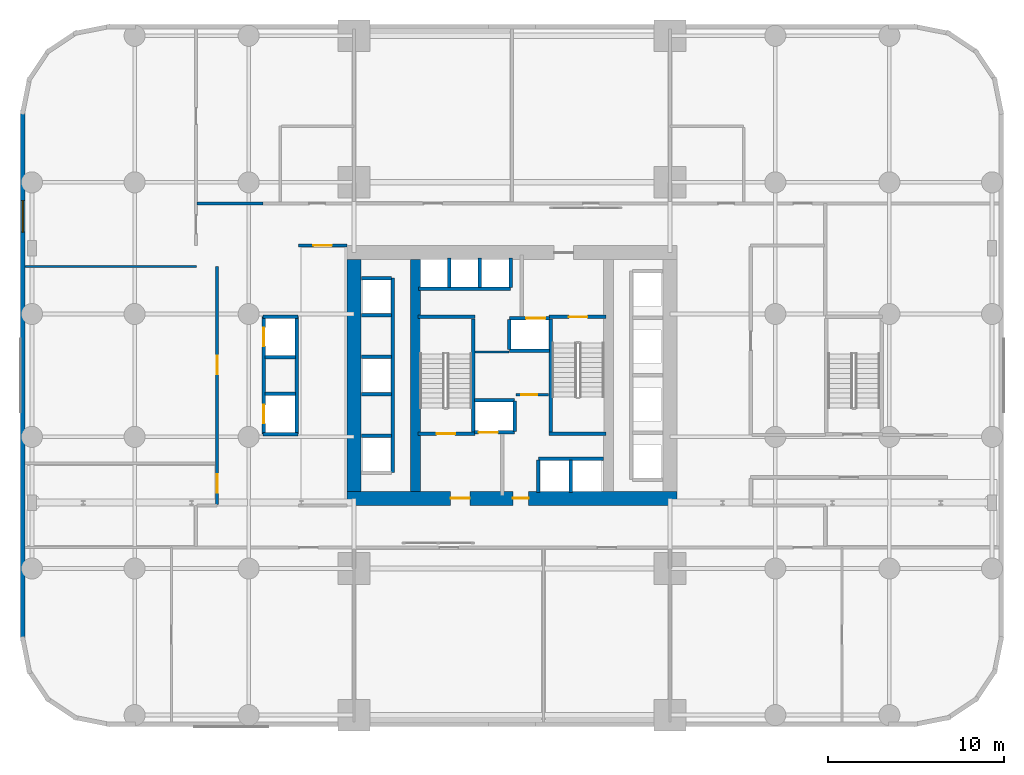
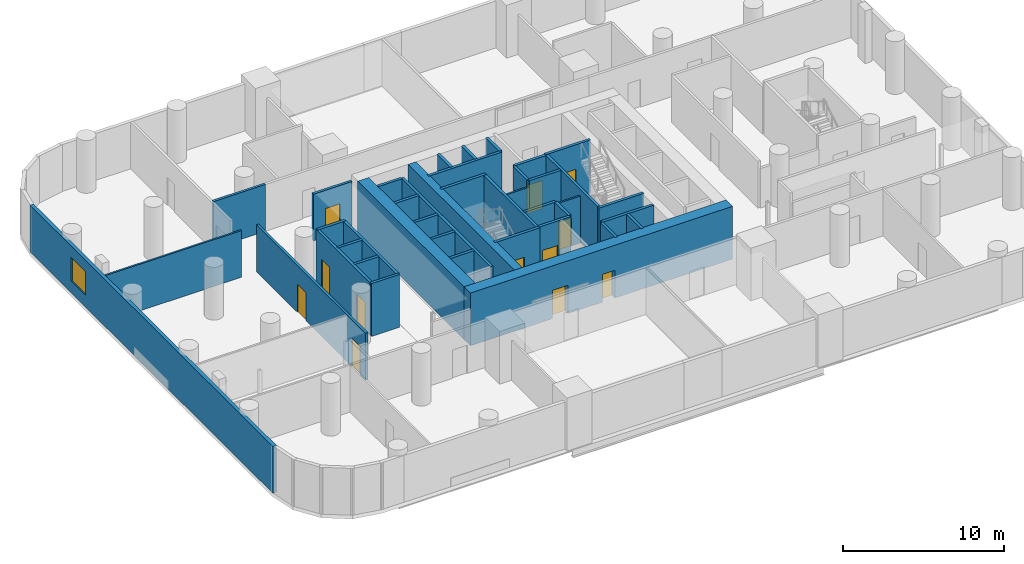
# One storey, part 9 of 15: 41 walls, 12 doors, 1 window, 13 openings.
"""IFC4 building model written with IfcOpenShell, lengths in metres."""

from ifc_helpers import new_model, si_unit, direction, frame, frame_2d, origin, place, context, subcontext, project, spatial, rectangle, extrude, material, layer, layer_set, type_object, element, fill, save


model = new_model("IFC4")

# Units and contexts
model_context = context("Model", 3, precision=1e-05, world=origin(), true_north=direction((0.0, 1.0)))
body_context = subcontext(model_context, "Body", "Model", "MODEL_VIEW")
ifc_project = project(units=[si_unit("LENGTHUNIT", "METRE"), si_unit("AREAUNIT", "SQUARE_METRE"), si_unit("VOLUMEUNIT", "CUBIC_METRE"), si_unit("PLANEANGLEUNIT", "RADIAN"), si_unit("MASSUNIT", "GRAM", prefix="KILO")], contexts=[model_context])

# Site, building, storey
site_placement = place(None, origin())
site = spatial("IfcSite", under=ifc_project, at=site_placement, CompositionType="ELEMENT")
building_placement = place(site_placement, origin())
building = spatial("IfcBuilding", under=site, at=building_placement, Name="Veldorim Arch Residences", CompositionType="ELEMENT")
storey_placement = place(building_placement, frame((0.0, 0.0, 16.0)))
storey = spatial("IfcBuildingStorey", under=building, at=storey_placement, Name="L04", CompositionType="ELEMENT", Elevation=16.0)

# Wall, opening, door
ifc_material_1 = material(Name="Acoustic Gypsum Board", Category="gypsum")
ifc_layer_1 = layer(ifc_material_1, 0.125, Name="Acoustic Stud Room Partition Wall 125")
ifc_layer_set_1 = layer_set([ifc_layer_1], Name="Acoustic Gypsum Board")
wall_type_1 = type_object("IfcWallType", Name="Acoustic Stud Room Partition Wall 125", PredefinedType="PARTITIONING", material=ifc_layer_set_1)
wall_1_placement = place(storey_placement, frame((32.219970703125, 22.89990234375, 0.0), z_axis=(0.0, 0.0, 1.0), x_axis=(1.0, 0.0, 0.0)))
wall_1 = element("IfcWall", 1, at=wall_1_placement, inside=storey, type_object=wall_type_1, Name="L04 interior wall WL-CA-L04-2", PredefinedType="PARTITIONING", context=body_context, shape_type="SweptSolid", body=[
    extrude(rectangle(XDim=1.860107421875, YDim=0.125, at=frame_2d((0.93017578125, 0.0))), origin(), (0.0, 0.0, 1.0), 3.544921875),
])
opening_1_placement = place(wall_1_placement, frame((0.31005859375, 0.0, 0.0)))
opening_1 = element("IfcOpeningElement", 2, at=opening_1_placement, cuts=wall_1, Name="Opening DR-SVC", PredefinedType="OPENING", context=body_context, shape_type="SweptSolid", body=[
    extrude(rectangle(XDim=0.89990234375, YDim=2.10009765625, at=frame_2d((0.449951171875, 1.050048828125))), frame((0.0, 0.072509765625, 0.0), z_axis=(0.0, -1.0, 0.0), x_axis=(1.0, 0.0, 0.0)), (0.0, 0.0, 1.0), 0.14501953125),
])
ifc_material_2 = material(Name="Fire-Rated Steel", Category="steel")
door_type_1 = type_object("IfcDoorType", Name="Riser, Shelter & Plant Room Rated Steel Door 900x2100", OperationType="SINGLE_SWING_LEFT", PredefinedType="DOOR", material=ifc_material_2)
door_1_placement = place(opening_1_placement, origin())
door_1 = element("IfcDoor", 3, at=door_1_placement, inside=storey, type_object=door_type_1, Name="L04 interior door DR-L04-CA1", OperationType="SINGLE_SWING_RIGHT", OverallHeight=2.10009765625, OverallWidth=0.89990234375, PredefinedType="DOOR", context=body_context, shape_type="SweptSolid", body=[
    extrude(rectangle(XDim=0.89990234375, YDim=2.10009765625, at=frame_2d((0.449951171875, 1.050048828125))), frame((0.0, 0.02490234375, 0.0), z_axis=(0.0, -1.0, 0.0), x_axis=(1.0, 0.0, 0.0)), (0.0, 0.0, 1.0), 0.050048828125),
])
fill(opening_1, door_1)

# Walls
wall_2_placement = place(storey_placement, frame((29.889892578125, 25.330078125, 0.0), z_axis=(0.0, 0.0, 1.0), x_axis=(1.0, 0.0, 0.0)))
element("IfcWall", 4, at=wall_2_placement, inside=storey, type_object=wall_type_1, Name="L04 interior wall WL-CA-L04-N", PredefinedType="PARTITIONING", context=body_context, shape_type="SweptSolid", body=[
    extrude(rectangle(XDim=1.940185546875, YDim=0.125, at=frame_2d((0.97021484375, 0.0))), origin(), (0.0, 0.0, 1.0), 3.544921875),
])
wall_3_placement = place(storey_placement, frame((4.25, 30.199951171875, 0.0), z_axis=(0.0, 0.0, 1.0), x_axis=(1.0, 0.0, 0.0)))
element("IfcWall", 5, at=wall_3_placement, inside=storey, type_object=wall_type_1, Name="L04 interior wall WL-POD-L04-025", PredefinedType="PARTITIONING", context=body_context, shape_type="SweptSolid", body=[
    extrude(rectangle(XDim=9.77001953125, YDim=0.125, at=frame_2d((4.885009765625, 0.0))), origin(), (0.0, 0.0, 1.0), 3.544921875),
])

# Wall, openings, doors
ifc_material_3 = material(Name="Lightweight Masonry Block & Gypsum", Category="masonry")
ifc_layer_2 = layer(ifc_material_3, 0.179931640625, Name="Compartment & Corridor Fire-Rated Party Wall 180")
ifc_layer_set_2 = layer_set([ifc_layer_2], Name="Lightweight Masonry Block & Gypsum")
wall_type_2 = type_object("IfcWallType", Name="Compartment & Corridor Fire-Rated Party Wall 180", PredefinedType="PARTITIONING", material=ifc_layer_set_2)
wall_4_placement = place(storey_placement, frame((15.199951171875, 16.659912109375, 0.0), z_axis=(0.0, 0.0, 1.0), x_axis=(0.0, 1.0, 0.0)))
wall_4 = element("IfcWall", 6, at=wall_4_placement, inside=storey, type_object=wall_type_2, Name="L04 interior wall WL-POD-L04-004", PredefinedType="PARTITIONING", context=body_context, shape_type="SweptSolid", body=[
    extrude(rectangle(XDim=13.56005859375, YDim=0.179931640625, at=frame_2d((6.780029296875, 0.0))), origin(), (0.0, 0.0, 1.0), 3.544921875),
])
opening_2_placement = place(wall_4_placement, frame((0.655029296875, 0.0, 0.0)))
opening_2 = element("IfcOpeningElement", 7, at=opening_2_placement, cuts=wall_4, Name="Opening DR-CLN", PredefinedType="OPENING", context=body_context, shape_type="SweptSolid", body=[
    extrude(rectangle(XDim=1.050048828125, YDim=2.14990234375, at=frame_2d((0.52490234375, 1.074951171875))), frame((0.0, 0.099853515625, 0.0), z_axis=(0.0, -1.0, 0.0), x_axis=(1.0, 0.0, 0.0)), (0.0, 0.0, 1.0), 0.199951171875),
])
opening_3_placement = place(wall_4_placement, frame((7.4150390625, 0.0, 0.0)))
opening_3 = element("IfcOpeningElement", 8, at=opening_3_placement, cuts=wall_4, Name="Opening DR-CLN", PredefinedType="OPENING", context=body_context, shape_type="SweptSolid", body=[
    extrude(rectangle(XDim=1.050048828125, YDim=2.14990234375, at=frame_2d((0.52490234375, 1.074951171875))), frame((0.0, 0.099853515625, 0.0), z_axis=(0.0, -1.0, 0.0), x_axis=(1.0, 0.0, 0.0)), (0.0, 0.0, 1.0), 0.199951171875),
])
ifc_material_4 = material(Name="Timber & Vision Panel", Category="wood")
door_type_2 = type_object("IfcDoorType", Name="Polyclinic Wheelchair-Accessible Consultation Door 1050x2150", OperationType="SINGLE_SWING_LEFT", PredefinedType="DOOR", material=ifc_material_4)
door_2_placement = place(opening_2_placement, origin())
door_2 = element("IfcDoor", 9, at=door_2_placement, inside=storey, type_object=door_type_2, Name="L04 interior door DR-POD-L04-003", OperationType="SINGLE_SWING_LEFT", OverallHeight=2.14990234375, OverallWidth=1.050048828125, PredefinedType="DOOR", context=body_context, shape_type="SweptSolid", body=[
    extrude(rectangle(XDim=1.050048828125, YDim=2.14990234375, at=frame_2d((0.52490234375, 1.074951171875))), frame((0.0, 0.02490234375, 0.0), z_axis=(0.0, -1.0, 0.0), x_axis=(1.0, 0.0, 0.0)), (0.0, 0.0, 1.0), 0.050048828125),
])
fill(opening_2, door_2)
door_3_placement = place(opening_3_placement, origin())
door_3 = element("IfcDoor", 10, at=door_3_placement, inside=storey, type_object=door_type_2, Name="L04 interior door DR-POD-L04-004", OperationType="SINGLE_SWING_RIGHT", OverallHeight=2.14990234375, OverallWidth=1.050048828125, PredefinedType="DOOR", context=body_context, shape_type="SweptSolid", body=[
    extrude(rectangle(XDim=1.050048828125, YDim=2.14990234375, at=frame_2d((0.52490234375, 1.074951171875))), frame((0.0, 0.02490234375, 0.0), z_axis=(0.0, -1.0, 0.0), x_axis=(1.0, 0.0, 0.0)), (0.0, 0.0, 1.0), 0.050048828125),
])
fill(opening_3, door_3)

# Wall
wall_5_placement = place(storey_placement, frame((14.06005859375, 33.800048828125, 0.0), z_axis=(0.0, 0.0, 1.0), x_axis=(1.0, 0.0, 0.0)))
element("IfcWall", 11, at=wall_5_placement, inside=storey, type_object=wall_type_2, Name="L04 interior wall WL-POD-L04-007", PredefinedType="PARTITIONING", context=body_context, shape_type="SweptSolid", body=[
    extrude(rectangle(XDim=3.739990234375, YDim=0.179931640625, at=frame_2d((1.8701171875, 0.0))), origin(), (0.0, 0.0, 1.0), 3.544921875),
])

# Wall, opening, door
wall_6_placement = place(storey_placement, frame((22.60009765625, 31.39990234375, 0.0), z_axis=(0.0, 0.0, 1.0), x_axis=(-1.0, 0.0, 0.0)))
wall_6 = element("IfcWall", 12, at=wall_6_placement, inside=storey, type_object=wall_type_2, Name="L04 interior wall WL-POD-L04-008", PredefinedType="PARTITIONING", context=body_context, shape_type="SweptSolid", body=[
    extrude(rectangle(XDim=2.77001953125, YDim=0.179931640625, at=frame_2d((1.385009765625, 0.0))), origin(), (0.0, 0.0, 1.0), 3.544921875),
])
opening_4_placement = place(wall_6_placement, frame((0.860107421875, 0.0, 0.0)))
opening_4 = element("IfcOpeningElement", 13, at=opening_4_placement, cuts=wall_6, Name="Opening DR-CLN", PredefinedType="OPENING", context=body_context, shape_type="SweptSolid", body=[
    extrude(rectangle(XDim=1.050048828125, YDim=2.14990234375, at=frame_2d((0.52490234375, 1.074951171875))), frame((0.0, 0.099853515625, 0.0), z_axis=(0.0, -1.0, 0.0), x_axis=(1.0, 0.0, 0.0)), (0.0, 0.0, 1.0), 0.199951171875),
])
door_4_placement = place(opening_4_placement, origin())
door_4 = element("IfcDoor", 14, at=door_4_placement, inside=storey, type_object=door_type_2, Name="L04 interior door DR-POD-L04-008", OperationType="SINGLE_SWING_RIGHT", OverallHeight=2.14990234375, OverallWidth=1.050048828125, PredefinedType="DOOR", context=body_context, shape_type="SweptSolid", body=[
    extrude(rectangle(XDim=1.050048828125, YDim=2.14990234375, at=frame_2d((0.52490234375, 1.074951171875))), frame((0.0, 0.02490234375, 0.0), z_axis=(0.0, -1.0, 0.0), x_axis=(1.0, 0.0, 0.0)), (0.0, 0.0, 1.0), 0.050048828125),
])
fill(opening_4, door_4)

# Walls
ifc_material_5 = material(Name="Concrete C50/60", Category="concrete")
ifc_layer_3 = layer(ifc_material_5, 0.199951171875, Name="Core Stair & Lift Shaft Enclosure Wall 200")
ifc_layer_set_3 = layer_set([ifc_layer_3], Name="Concrete C50/60")
wall_type_3 = type_object("IfcWallType", Name="Core Stair & Lift Shaft Enclosure Wall 200", PredefinedType="SHEAR", material=ifc_layer_set_3)
wall_7_placement = place(storey_placement, frame((29.7900390625, 20.780029296875, 0.0), z_axis=(0.0, 0.0, 1.0), x_axis=(0.0, 1.0, 0.0)))
element("IfcWall", 15, at=wall_7_placement, inside=storey, type_object=wall_type_3, Name="L04 shaft wall WL-SHF-L04-ST1-E", PredefinedType="SHEAR", context=body_context, shape_type="SweptSolid", body=[
    extrude(rectangle(XDim=6.43994140625, YDim=0.199951171875, at=frame_2d((3.219970703125, 0.0))), origin(), (0.0, 0.0, 1.0), 4.0),
])
wall_8_placement = place(storey_placement, frame((26.64990234375, 27.330078125, 0.0), z_axis=(0.0, 0.0, 1.0), x_axis=(1.0, 0.0, 0.0)))
element("IfcWall", 16, at=wall_8_placement, inside=storey, type_object=wall_type_3, Name="L04 shaft wall WL-SHF-L04-ST1-N", PredefinedType="SHEAR", context=body_context, shape_type="SweptSolid", body=[
    extrude(rectangle(XDim=3.239990234375, YDim=0.199951171875, at=frame_2d((1.6201171875, 0.0))), origin(), (0.0, 0.0, 1.0), 4.0),
])

# Wall, opening, door
wall_9_placement = place(storey_placement, frame((26.64990234375, 20.669921875, 0.0), z_axis=(0.0, 0.0, 1.0), x_axis=(1.0, 0.0, 0.0)))
wall_9 = element("IfcWall", 17, at=wall_9_placement, inside=storey, type_object=wall_type_3, Name="L04 shaft wall WL-SHF-L04-ST1-S", PredefinedType="SHEAR", context=body_context, shape_type="SweptSolid", body=[
    extrude(rectangle(XDim=3.239990234375, YDim=0.199951171875, at=frame_2d((1.6201171875, 0.0))), origin(), (0.0, 0.0, 1.0), 4.0),
])
opening_5_placement = place(wall_9_placement, frame((1.054931640625, 0.0, 0.0)))
opening_5 = element("IfcOpeningElement", 18, at=opening_5_placement, cuts=wall_9, Name="Opening DR-ST", PredefinedType="OPENING", context=body_context, shape_type="SweptSolid", body=[
    extrude(rectangle(XDim=1.050048828125, YDim=2.14990234375, at=frame_2d((0.52490234375, 1.074951171875))), frame((0.0, 0.10986328125, 0.0), z_axis=(0.0, -1.0, 0.0), x_axis=(1.0, 0.0, 0.0)), (0.0, 0.0, 1.0), 0.219970703125),
])
ifc_material_6 = material(Name="Fire-Rated Steel", Category="steel")
door_type_3 = type_object("IfcDoorType", Name="Exit Staircase Self-Closing Fire Door 1050x2150", OperationType="SINGLE_SWING_LEFT", PredefinedType="DOOR", material=ifc_material_6)
door_5_placement = place(opening_5_placement, origin())
door_5 = element("IfcDoor", 19, at=door_5_placement, inside=storey, type_object=door_type_3, Name="L04 interior door DR-L04-ST1", OperationType="SINGLE_SWING_LEFT", OverallHeight=2.14990234375, OverallWidth=1.050048828125, PredefinedType="DOOR", context=body_context, shape_type="SweptSolid", body=[
    extrude(rectangle(XDim=1.050048828125, YDim=2.14990234375, at=frame_2d((0.52490234375, 1.074951171875))), frame((0.0, 0.02490234375, 0.0), z_axis=(0.0, -1.0, 0.0), x_axis=(1.0, 0.0, 0.0)), (0.0, 0.0, 1.0), 0.050048828125),
])
fill(opening_5, door_5)

# Walls
wall_10_placement = place(storey_placement, frame((34.2099609375, 20.780029296875, 0.0), z_axis=(0.0, 0.0, 1.0), x_axis=(0.0, 1.0, 0.0)))
element("IfcWall", 20, at=wall_10_placement, inside=storey, type_object=wall_type_3, Name="L04 shaft wall WL-SHF-L04-ST2-W", PredefinedType="SHEAR", context=body_context, shape_type="SweptSolid", body=[
    extrude(rectangle(XDim=6.43994140625, YDim=0.199951171875, at=frame_2d((3.219970703125, 0.0))), origin(), (0.0, 0.0, 1.0), 4.0),
])
wall_11_placement = place(storey_placement, frame((34.110107421875, 20.669921875, 0.0), z_axis=(0.0, 0.0, 1.0), x_axis=(1.0, 0.0, 0.0)))
element("IfcWall", 21, at=wall_11_placement, inside=storey, type_object=wall_type_3, Name="L04 shaft wall WL-SHF-L04-ST2-S", PredefinedType="SHEAR", context=body_context, shape_type="SweptSolid", body=[
    extrude(rectangle(XDim=3.239990234375, YDim=0.199951171875, at=frame_2d((1.6201171875, 0.0))), origin(), (0.0, 0.0, 1.0), 4.0),
])

# Wall, opening, door
wall_12_placement = place(storey_placement, frame((34.110107421875, 27.330078125, 0.0), z_axis=(0.0, 0.0, 1.0), x_axis=(1.0, 0.0, 0.0)))
wall_12 = element("IfcWall", 22, at=wall_12_placement, inside=storey, type_object=wall_type_3, Name="L04 shaft wall WL-SHF-L04-ST2-N", PredefinedType="SHEAR", context=body_context, shape_type="SweptSolid", body=[
    extrude(rectangle(XDim=3.239990234375, YDim=0.199951171875, at=frame_2d((1.6201171875, 0.0))), origin(), (0.0, 0.0, 1.0), 4.0),
])
opening_6_placement = place(wall_12_placement, frame((1.135009765625, 0.0, 0.0)))
opening_6 = element("IfcOpeningElement", 23, at=opening_6_placement, cuts=wall_12, Name="Opening DR-ST", PredefinedType="OPENING", context=body_context, shape_type="SweptSolid", body=[
    extrude(rectangle(XDim=1.050048828125, YDim=2.14990234375, at=frame_2d((0.52490234375, 1.074951171875))), frame((0.0, 0.10986328125, 0.0), z_axis=(0.0, -1.0, 0.0), x_axis=(1.0, 0.0, 0.0)), (0.0, 0.0, 1.0), 0.219970703125),
])
door_6_placement = place(opening_6_placement, origin())
door_6 = element("IfcDoor", 24, at=door_6_placement, inside=storey, type_object=door_type_3, Name="L04 interior door DR-L04-ST2", OperationType="SINGLE_SWING_RIGHT", OverallHeight=2.14990234375, OverallWidth=1.050048828125, PredefinedType="DOOR", context=body_context, shape_type="SweptSolid", body=[
    extrude(rectangle(XDim=1.050048828125, YDim=2.14990234375, at=frame_2d((0.52490234375, 1.074951171875))), frame((0.0, 0.02490234375, 0.0), z_axis=(0.0, -1.0, 0.0), x_axis=(1.0, 0.0, 0.0)), (0.0, 0.0, 1.0), 0.050048828125),
])
fill(opening_6, door_6)

wall_13_placement = place(storey_placement, frame((29.85009765625, 20.75, 0.0), z_axis=(0.0, 0.0, 1.0), x_axis=(1.0, 0.0, 0.0)))
wall_13 = element("IfcWall", 25, at=wall_13_placement, inside=storey, type_object=wall_type_3, Name="L04 shaft wall WL-FL01-L04-S", PredefinedType="SHEAR", context=body_context, shape_type="SweptSolid", body=[
    extrude(rectangle(XDim=2.2998046875, YDim=0.199951171875, at=frame_2d((1.14990234375, 0.0))), origin(), (0.0, 0.0, 1.0), 4.0),
])
opening_7_placement = place(wall_13_placement, frame((0.25, 0.0, 0.0)))
opening_7 = element("IfcOpeningElement", 26, at=opening_7_placement, cuts=wall_13, Name="Opening LD-FF", PredefinedType="OPENING", context=body_context, shape_type="SweptSolid", body=[
    extrude(rectangle(XDim=1.10009765625, YDim=2.14990234375, at=frame_2d((0.550048828125, 1.074951171875))), frame((0.0, 0.10986328125, 0.0), z_axis=(0.0, -1.0, 0.0), x_axis=(1.0, 0.0, 0.0)), (0.0, 0.0, 1.0), 0.219970703125),
])
ifc_material_7 = material(Name="Stainless Steel", Category="steel")
door_type_4 = type_object("IfcDoorType", Name="Firefighting Lift Bi-Parting Sliding Landing Door 1100x2150", OperationType="DOUBLE_DOOR_SLIDING", PredefinedType="DOOR", material=ifc_material_7)
door_7_placement = place(opening_7_placement, origin())
door_7 = element("IfcDoor", 27, at=door_7_placement, inside=storey, type_object=door_type_4, Name="L04 lift landing door LD-L04-FL01", OperationType="DOUBLE_DOOR_SLIDING", OverallHeight=2.14990234375, OverallWidth=1.10009765625, PredefinedType="DOOR", context=body_context, shape_type="SweptSolid", body=[
    extrude(rectangle(XDim=1.10009765625, YDim=2.14990234375, at=frame_2d((0.550048828125, 1.074951171875))), frame((0.0, 0.02490234375, 0.0), z_axis=(0.0, -1.0, 0.0), x_axis=(1.0, 0.0, 0.0)), (0.0, 0.0, 1.0), 0.050048828125),
])
fill(opening_7, door_7)

# Walls
wall_14_placement = place(storey_placement, frame((29.85009765625, 22.60009765625, 0.0), z_axis=(0.0, 0.0, 1.0), x_axis=(1.0, 0.0, 0.0)))
element("IfcWall", 28, at=wall_14_placement, inside=storey, type_object=wall_type_3, Name="L04 shaft wall WL-FL01-L04-N", PredefinedType="SHEAR", context=body_context, shape_type="SweptSolid", body=[
    extrude(rectangle(XDim=2.2998046875, YDim=0.199951171875, at=frame_2d((1.14990234375, 0.0))), origin(), (0.0, 0.0, 1.0), 4.0),
])
wall_15_placement = place(storey_placement, frame((32.14990234375, 20.820068359375, 0.0), z_axis=(0.0, 0.0, 1.0), x_axis=(0.0, 1.0, 0.0)))
element("IfcWall", 29, at=wall_15_placement, inside=storey, type_object=wall_type_3, Name="L04 shaft wall WL-FL01-L04-E", PredefinedType="SHEAR", context=body_context, shape_type="SweptSolid", body=[
    extrude(rectangle(XDim=1.7099609375, YDim=0.199951171875, at=frame_2d((0.85498046875, 0.0))), origin(), (0.0, 0.0, 1.0), 4.0),
])

# Wall, opening, door
wall_16_placement = place(storey_placement, frame((31.85009765625, 27.25, 0.0), z_axis=(0.0, 0.0, 1.0), x_axis=(1.0, 0.0, 0.0)))
wall_16 = element("IfcWall", 30, at=wall_16_placement, inside=storey, type_object=wall_type_3, Name="L04 shaft wall WL-FL02-L04-N", PredefinedType="SHEAR", context=body_context, shape_type="SweptSolid", body=[
    extrude(rectangle(XDim=2.2998046875, YDim=0.199951171875, at=frame_2d((1.14990234375, 0.0))), origin(), (0.0, 0.0, 1.0), 4.0),
])
opening_8_placement = place(wall_16_placement, frame((0.949951171875, 0.0, 0.0)))
opening_8 = element("IfcOpeningElement", 31, at=opening_8_placement, cuts=wall_16, Name="Opening LD-FF", PredefinedType="OPENING", context=body_context, shape_type="SweptSolid", body=[
    extrude(rectangle(XDim=1.10009765625, YDim=2.14990234375, at=frame_2d((0.550048828125, 1.074951171875))), frame((0.0, 0.10986328125, 0.0), z_axis=(0.0, -1.0, 0.0), x_axis=(1.0, 0.0, 0.0)), (0.0, 0.0, 1.0), 0.219970703125),
])
door_8_placement = place(opening_8_placement, origin())
door_8 = element("IfcDoor", 32, at=door_8_placement, inside=storey, type_object=door_type_4, Name="L04 lift landing door LD-L04-FL02", OperationType="DOUBLE_DOOR_SLIDING", OverallHeight=2.14990234375, OverallWidth=1.10009765625, PredefinedType="DOOR", context=body_context, shape_type="SweptSolid", body=[
    extrude(rectangle(XDim=1.10009765625, YDim=2.14990234375, at=frame_2d((0.550048828125, 1.074951171875))), frame((0.0, 0.02490234375, 0.0), z_axis=(0.0, -1.0, 0.0), x_axis=(1.0, 0.0, 0.0)), (0.0, 0.0, 1.0), 0.050048828125),
])
fill(opening_8, door_8)

# Walls
wall_17_placement = place(storey_placement, frame((31.85009765625, 25.39990234375, 0.0), z_axis=(0.0, 0.0, 1.0), x_axis=(1.0, 0.0, 0.0)))
element("IfcWall", 33, at=wall_17_placement, inside=storey, type_object=wall_type_3, Name="L04 shaft wall WL-FL02-L04-S", PredefinedType="SHEAR", context=body_context, shape_type="SweptSolid", body=[
    extrude(rectangle(XDim=2.2998046875, YDim=0.199951171875, at=frame_2d((1.14990234375, 0.0))), origin(), (0.0, 0.0, 1.0), 4.0),
])
wall_18_placement = place(storey_placement, frame((31.85009765625, 25.469970703125, 0.0), z_axis=(0.0, 0.0, 1.0), x_axis=(0.0, 1.0, 0.0)))
element("IfcWall", 34, at=wall_18_placement, inside=storey, type_object=wall_type_3, Name="L04 shaft wall WL-FL02-L04-W", PredefinedType="SHEAR", context=body_context, shape_type="SweptSolid", body=[
    extrude(rectangle(XDim=1.7099609375, YDim=0.199951171875, at=frame_2d((0.85498046875, 0.0))), origin(), (0.0, 0.0, 1.0), 4.0),
])
wall_19_placement = place(storey_placement, frame((25.199951171875, 18.4599609375, 0.0), z_axis=(0.0, 0.0, 1.0), x_axis=(0.0, 1.0, 0.0)))
element("IfcWall", 35, at=wall_19_placement, inside=storey, type_object=wall_type_3, Name="L04 shaft wall WL-B2-L04-E", PredefinedType="SHEAR", context=body_context, shape_type="SweptSolid", body=[
    extrude(rectangle(XDim=11.080078125, YDim=0.199951171875, at=frame_2d((5.5400390625, 0.0))), origin(), (0.0, 0.0, 1.0), 4.0),
])
for number, where, z_axis, x_axis, name in (
    (36, (23.419921875, 29.5400390625, 0.0), (0.0, 0.0, 1.0), (1.0, 0.0, 0.0), "L04 shaft wall WL-B2-L04-N"),
    (37, (23.419921875, 20.56005859375, 0.0), (0.0, 0.0, 1.0), (1.0, 0.0, 0.0), "L04 shaft wall WL-B2-L04-D1A"),
    (38, (23.419921875, 22.93994140625, 0.0), (0.0, 0.0, 1.0), (1.0, 0.0, 0.0), "L04 shaft wall WL-B2-L04-D1B"),
    (39, (23.419921875, 25.06005859375, 0.0), (0.0, 0.0, 1.0), (1.0, 0.0, 0.0), "L04 shaft wall WL-B2-L04-D2A"),
    (40, (23.419921875, 27.43994140625, 0.0), (0.0, 0.0, 1.0), (1.0, 0.0, 0.0), "L04 shaft wall WL-B2-L04-D2B"),
):
    element("IfcWall", number, at=place(storey_placement, frame(where, z_axis=z_axis, x_axis=x_axis)), inside=storey, type_object=wall_type_3, Name=name, PredefinedType="SHEAR", context=body_context, shape_type="SweptSolid", body=[
        extrude(rectangle(XDim=1.7099609375, YDim=0.199951171875, at=frame_2d((0.85498046875, 0.0))), origin(), (0.0, 0.0, 1.0), 4.0),
    ])
wall_20_placement = place(storey_placement, frame((26.679931640625, 28.949951171875, 0.0), z_axis=(0.0, 0.0, 1.0), x_axis=(1.0, 0.0, 0.0)))
element("IfcWall", 41, at=wall_20_placement, inside=storey, type_object=wall_type_3, Name="L04 shaft wall WL-B3-L04-S", PredefinedType="SHEAR", context=body_context, shape_type="SweptSolid", body=[
    extrude(rectangle(XDim=5.239990234375, YDim=0.199951171875, at=frame_2d((2.6201171875, 0.0))), origin(), (0.0, 0.0, 1.0), 4.0),
])
for number, where, z_axis, x_axis, name in (
    (42, (31.919921875, 29.02001953125, 0.0), (0.0, 0.0, 1.0), (0.0, 1.0, 0.0), "L04 shaft wall WL-B3-L04-E"),
    (43, (28.425048828125, 29.02001953125, 0.0), (0.0, 0.0, 1.0), (0.0, 1.0, 0.0), "L04 shaft wall WL-B3-L04-D1"),
    (44, (30.175048828125, 29.02001953125, 0.0), (0.0, 0.0, 1.0), (0.0, 1.0, 0.0), "L04 shaft wall WL-B3-L04-D2"),
):
    element("IfcWall", number, at=place(storey_placement, frame(where, z_axis=z_axis, x_axis=x_axis)), inside=storey, type_object=wall_type_3, Name=name, PredefinedType="SHEAR", context=body_context, shape_type="SweptSolid", body=[
        extrude(rectangle(XDim=1.659912109375, YDim=0.199951171875, at=frame_2d((0.830078125, 0.0))), origin(), (0.0, 0.0, 1.0), 4.0),
    ])
wall_21_placement = place(storey_placement, frame((33.5, 19.25, 0.0), z_axis=(0.0, 0.0, 1.0), x_axis=(1.0, 0.0, 0.0)))
element("IfcWall", 45, at=wall_21_placement, inside=storey, type_object=wall_type_3, Name="L04 shaft wall WL-OL-L04-N", PredefinedType="SHEAR", context=body_context, shape_type="SweptSolid", body=[
    extrude(rectangle(XDim=3.719970703125, YDim=0.199951171875, at=frame_2d((1.85986328125, 0.0))), origin(), (0.0, 0.0, 1.0), 4.0),
])
for number, where, z_axis, x_axis, name in (
    (46, (33.5, 17.320068359375, 0.0), (0.0, 0.0, 1.0), (0.0, 1.0, 0.0), "L04 shaft wall WL-OL-L04-W"),
    (47, (35.35009765625, 17.320068359375, 0.0), (0.0, 0.0, 1.0), (0.0, 1.0, 0.0), "L04 shaft wall WL-OL-L04-D1"),
):
    element("IfcWall", number, at=place(storey_placement, frame(where, z_axis=z_axis, x_axis=x_axis)), inside=storey, type_object=wall_type_3, Name=name, PredefinedType="SHEAR", context=body_context, shape_type="SweptSolid", body=[
        extrude(rectangle(XDim=1.85986328125, YDim=0.199951171875, at=frame_2d((0.929931640625, 0.0))), origin(), (0.0, 0.0, 1.0), 4.0),
    ])

# Wall, openings, doors
wall_22_placement = place(storey_placement, frame((17.85009765625, 20.64990234375, 0.0), z_axis=(0.0, 0.0, 1.0), x_axis=(0.0, 1.0, 0.0)))
wall_22 = element("IfcWall", 48, at=wall_22_placement, inside=storey, type_object=wall_type_3, Name="L04 shaft wall WL-SHF-L04-CL-W", PredefinedType="SHEAR", context=body_context, shape_type="SweptSolid", body=[
    extrude(rectangle(XDim=6.7001953125, YDim=0.199951171875, at=frame_2d((3.35009765625, 0.0))), origin(), (0.0, 0.0, 1.0), 4.0),
])
opening_9_placement = place(wall_22_placement, frame((0.625, 0.0, 0.0)))
opening_9 = element("IfcOpeningElement", 49, at=opening_9_placement, cuts=wall_22, Name="Opening LD-PS", PredefinedType="OPENING", context=body_context, shape_type="SweptSolid", body=[
    extrude(rectangle(XDim=1.050048828125, YDim=2.14990234375, at=frame_2d((0.52490234375, 1.074951171875))), frame((0.0, 0.10986328125, 0.0), z_axis=(0.0, -1.0, 0.0), x_axis=(1.0, 0.0, 0.0)), (0.0, 0.0, 1.0), 0.219970703125),
])
opening_10_placement = place(wall_22_placement, frame((5.02490234375, 0.0, 0.0)))
opening_10 = element("IfcOpeningElement", 50, at=opening_10_placement, cuts=wall_22, Name="Opening LD-PS", PredefinedType="OPENING", context=body_context, shape_type="SweptSolid", body=[
    extrude(rectangle(XDim=1.050048828125, YDim=2.14990234375, at=frame_2d((0.52490234375, 1.074951171875))), frame((0.0, 0.10986328125, 0.0), z_axis=(0.0, -1.0, 0.0), x_axis=(1.0, 0.0, 0.0)), (0.0, 0.0, 1.0), 0.219970703125),
])
ifc_material_8 = material(Name="Stainless Steel", Category="steel")
door_type_5 = type_object("IfcDoorType", Name="Passenger Lift Bi-Parting Sliding Landing Door 1050x2150", OperationType="DOUBLE_DOOR_SLIDING", PredefinedType="DOOR", material=ifc_material_8)
door_9_placement = place(opening_9_placement, origin())
door_9 = element("IfcDoor", 51, at=door_9_placement, inside=storey, type_object=door_type_5, Name="L04 lift landing door LD-L04-CL-01", OperationType="DOUBLE_DOOR_SLIDING", OverallHeight=2.14990234375, OverallWidth=1.050048828125, PredefinedType="DOOR", context=body_context, shape_type="SweptSolid", body=[
    extrude(rectangle(XDim=1.050048828125, YDim=2.14990234375, at=frame_2d((0.52490234375, 1.074951171875))), frame((0.0, 0.02490234375, 0.0), z_axis=(0.0, -1.0, 0.0), x_axis=(1.0, 0.0, 0.0)), (0.0, 0.0, 1.0), 0.050048828125),
])
fill(opening_9, door_9)
door_10_placement = place(opening_10_placement, origin())
door_10 = element("IfcDoor", 52, at=door_10_placement, inside=storey, type_object=door_type_5, Name="L04 lift landing door LD-L04-CL-02", OperationType="DOUBLE_DOOR_SLIDING", OverallHeight=2.14990234375, OverallWidth=1.050048828125, PredefinedType="DOOR", context=body_context, shape_type="SweptSolid", body=[
    extrude(rectangle(XDim=1.050048828125, YDim=2.14990234375, at=frame_2d((0.52490234375, 1.074951171875))), frame((0.0, 0.02490234375, 0.0), z_axis=(0.0, -1.0, 0.0), x_axis=(1.0, 0.0, 0.0)), (0.0, 0.0, 1.0), 0.050048828125),
])
fill(opening_10, door_10)

# Walls
wall_23_placement = place(storey_placement, frame((19.75, 20.64990234375, 0.0), z_axis=(0.0, 0.0, 1.0), x_axis=(0.0, 1.0, 0.0)))
element("IfcWall", 53, at=wall_23_placement, inside=storey, type_object=wall_type_3, Name="L04 shaft wall WL-SHF-L04-CL-E", PredefinedType="SHEAR", context=body_context, shape_type="SweptSolid", body=[
    extrude(rectangle(XDim=6.7001953125, YDim=0.199951171875, at=frame_2d((3.35009765625, 0.0))), origin(), (0.0, 0.0, 1.0), 4.0),
])
for number, where, z_axis, x_axis, name in (
    (54, (17.800048828125, 20.64990234375, 0.0), (0.0, 0.0, 1.0), (1.0, 0.0, 0.0), "L04 shaft wall WL-SHF-L04-CL-S"),
    (55, (17.800048828125, 27.35009765625, 0.0), (0.0, 0.0, 1.0), (1.0, 0.0, 0.0), "L04 shaft wall WL-SHF-L04-CL-N"),
):
    element("IfcWall", number, at=place(storey_placement, frame(where, z_axis=z_axis, x_axis=x_axis)), inside=storey, type_object=wall_type_3, Name=name, PredefinedType="SHEAR", context=body_context, shape_type="SweptSolid", body=[
        extrude(rectangle(XDim=2.0, YDim=0.199951171875, at=frame_2d((1.0, 0.0))), origin(), (0.0, 0.0, 1.0), 4.0),
    ])
for number, where, z_axis, x_axis, name in (
    (56, (17.919921875, 22.969970703125, 0.0), (0.0, 0.0, 1.0), (1.0, 0.0, 0.0), "L04 shaft wall WL-SHF-L04-CL-M1"),
    (57, (17.919921875, 25.030029296875, 0.0), (0.0, 0.0, 1.0), (1.0, 0.0, 0.0), "L04 shaft wall WL-SHF-L04-CL-M2"),
):
    element("IfcWall", number, at=place(storey_placement, frame(where, z_axis=z_axis, x_axis=x_axis)), inside=storey, type_object=wall_type_3, Name=name, PredefinedType="SHEAR", context=body_context, shape_type="SweptSolid", body=[
        extrude(rectangle(XDim=1.760009765625, YDim=0.199951171875, at=frame_2d((0.8798828125, 0.0))), origin(), (0.0, 0.0, 1.0), 4.0),
    ])
ifc_material_9 = material(Name="Concrete C60/75", Category="concrete")
ifc_layer_4 = layer(ifc_material_9, 0.56005859375, Name="Internal Core Shear Web Wall 560")
ifc_layer_set_4 = layer_set([ifc_layer_4], Name="Concrete C60/75")
wall_type_4 = type_object("IfcWallType", Name="Internal Core Shear Web Wall 560", PredefinedType="SHEAR", material=ifc_layer_set_4)
wall_24_placement = place(storey_placement, frame((26.5, 17.39990234375, 0.0), z_axis=(0.0, 0.0, 1.0), x_axis=(0.0, 1.0, 0.0)))
element("IfcWall", 58, at=wall_24_placement, inside=storey, type_object=wall_type_4, Name="L04 core west internal shear web", PredefinedType="SHEAR", context=body_context, shape_type="SweptSolid", body=[
    extrude(rectangle(XDim=13.2001953125, YDim=0.56005859375, at=frame_2d((6.60009765625, 0.0))), origin(), (0.0, 0.0, 1.0), 4.0),
])

# Wall, openings, doors
ifc_material_10 = material(Name="Concrete C60/75", Category="concrete")
ifc_layer_5 = layer(ifc_material_10, 0.800048828125, Name="Lower Central Core Shear Wall 800")
ifc_layer_set_5 = layer_set([ifc_layer_5], Name="Concrete C60/75")
wall_type_5 = type_object("IfcWallType", Name="Lower Central Core Shear Wall 800", PredefinedType="SHEAR", material=ifc_layer_set_5)
wall_25_placement = place(storey_placement, frame((22.60009765625, 17.0, 0.0), z_axis=(0.0, 0.0, 1.0), x_axis=(1.0, 0.0, 0.0)))
wall_25 = element("IfcWall", 59, at=wall_25_placement, inside=storey, type_object=wall_type_5, Name="L04 central core south shear wall", PredefinedType="SHEAR", context=body_context, shape_type="SweptSolid", body=[
    extrude(rectangle(XDim=18.7998046875, YDim=0.800048828125, at=frame_2d((9.39990234375, 0.0))), origin(), (0.0, 0.0, 1.0), 4.0),
])
opening_11_placement = place(wall_25_placement, frame((5.89990234375, 0.0, 0.0)))
opening_11 = element("IfcOpeningElement", 60, at=opening_11_placement, cuts=wall_25, Name="Opening DR-FFL", PredefinedType="OPENING", context=body_context, shape_type="SweptSolid", body=[
    extrude(rectangle(XDim=1.10009765625, YDim=2.14990234375, at=frame_2d((0.550048828125, 1.074951171875))), frame((0.0, 0.409912109375, 0.0), z_axis=(0.0, -1.0, 0.0), x_axis=(1.0, 0.0, 0.0)), (0.0, 0.0, 1.0), 0.820068359375),
])
opening_12_placement = place(wall_25_placement, frame((9.449951171875, 0.0, 0.0)))
opening_12 = element("IfcOpeningElement", 61, at=opening_12_placement, cuts=wall_25, Name="Opening DR-SVC", PredefinedType="OPENING", context=body_context, shape_type="SweptSolid", body=[
    extrude(rectangle(XDim=0.89990234375, YDim=2.10009765625, at=frame_2d((0.449951171875, 1.050048828125))), frame((0.0, 0.409912109375, 0.0), z_axis=(0.0, -1.0, 0.0), x_axis=(1.0, 0.0, 0.0)), (0.0, 0.0, 1.0), 0.820068359375),
])
ifc_material_11 = material(Name="Fire-Rated Steel & Vision Glass", Category="steel")
door_type_6 = type_object("IfcDoorType", Name="Firefighting Lobby Smoke-Stop Fire Door 1100x2150", OperationType="SINGLE_SWING_LEFT", PredefinedType="DOOR", material=ifc_material_11)
door_11_placement = place(opening_11_placement, origin())
door_11 = element("IfcDoor", 62, at=door_11_placement, inside=storey, type_object=door_type_6, Name="L04 interior door DR-L04-FFL1", OperationType="SINGLE_SWING_RIGHT", OverallHeight=2.14990234375, OverallWidth=1.10009765625, PredefinedType="DOOR", context=body_context, shape_type="SweptSolid", body=[
    extrude(rectangle(XDim=1.10009765625, YDim=2.14990234375, at=frame_2d((0.550048828125, 1.074951171875))), frame((0.0, 0.02490234375, 0.0), z_axis=(0.0, -1.0, 0.0), x_axis=(1.0, 0.0, 0.0)), (0.0, 0.0, 1.0), 0.050048828125),
])
fill(opening_11, door_11)
door_12_placement = place(opening_12_placement, origin())
door_12 = element("IfcDoor", 63, at=door_12_placement, inside=storey, type_object=door_type_1, Name="L04 interior door DR-L04-COR-ANC", OperationType="SINGLE_SWING_LEFT", OverallHeight=2.10009765625, OverallWidth=0.89990234375, PredefinedType="DOOR", context=body_context, shape_type="SweptSolid", body=[
    extrude(rectangle(XDim=0.89990234375, YDim=2.10009765625, at=frame_2d((0.449951171875, 1.050048828125))), frame((0.0, 0.02490234375, 0.0), z_axis=(0.0, -1.0, 0.0), x_axis=(1.0, 0.0, 0.0)), (0.0, 0.0, 1.0), 0.050048828125),
])
fill(opening_12, door_12)

# Wall
wall_26_placement = place(storey_placement, frame((23.0, 17.39990234375, 0.0), z_axis=(0.0, 0.0, 1.0), x_axis=(0.0, 1.0, 0.0)))
element("IfcWall", 64, at=wall_26_placement, inside=storey, type_object=wall_type_5, Name="L04 central core west shear wall", PredefinedType="SHEAR", context=body_context, shape_type="SweptSolid", body=[
    extrude(rectangle(XDim=13.2001953125, YDim=0.800048828125, at=frame_2d((6.60009765625, 0.0))), origin(), (0.0, 0.0, 1.0), 4.0),
])

# Wall, opening, window
ifc_material_12 = material(Name="Precast concrete C40/50", Category="concrete")
ifc_layer_6 = layer(ifc_material_12, 0.25, Name="Podium Terracotta Insulated Facade Wall 250")
ifc_layer_set_6 = layer_set([ifc_layer_6], Name="Precast concrete C40/50")
wall_type_6 = type_object("IfcWallType", Name="Podium Terracotta Insulated Facade Wall 250", PredefinedType="SOLIDWALL", material=ifc_layer_set_6)
wall_27_placement = place(storey_placement, frame((4.125, 8.89990234375, 0.0), z_axis=(0.0, 0.0, 1.0), x_axis=(0.0, 1.0, 0.0)))
wall_27 = element("IfcWall", 65, at=wall_27_placement, inside=storey, type_object=wall_type_6, Name="L04 podium terracotta facade wall 14", PredefinedType="SOLIDWALL", context=body_context, shape_type="SweptSolid", body=[
    extrude(rectangle(XDim=30.2001953125, YDim=0.25, at=frame_2d((15.10009765625, 0.0))), origin(), (0.0, 0.0, 1.0), 3.550048828125),
])
opening_13_placement = place(wall_27_placement, frame((23.260009765625, 0.0, 0.89990234375)))
opening_13 = element("IfcOpeningElement", 66, at=opening_13_placement, cuts=wall_27, Name="Opening WN-01", PredefinedType="OPENING", context=body_context, shape_type="SweptSolid", body=[
    extrude(rectangle(XDim=1.800048828125, YDim=1.800048828125, at=frame_2d((0.89990234375, 0.89990234375))), frame((0.0, 0.135009765625, 0.0), z_axis=(0.0, -1.0, 0.0), x_axis=(1.0, 0.0, 0.0)), (0.0, 0.0, 1.0), 0.27001953125),
])
ifc_material_13 = material(Name="Laminated Low-E Glass", Category="glass")
window_type = type_object("IfcWindowType", Name="Polyclinic Double-Glazed Window 1800x1800", PartitioningType="SINGLE_PANEL", PredefinedType="WINDOW", material=ifc_material_13)
window_placement = place(opening_13_placement, origin())
window = element("IfcWindow", 67, at=window_placement, inside=storey, type_object=window_type, Name="L04 outpatient clinic window 14-4", OverallHeight=1.800048828125, OverallWidth=1.800048828125, PartitioningType="SINGLE_PANEL", PredefinedType="WINDOW", context=body_context, shape_type="SweptSolid", body=[
    extrude(rectangle(XDim=1.800048828125, YDim=1.800048828125, at=frame_2d((0.89990234375, 0.89990234375))), frame((0.0, 0.030029296875, 0.0), z_axis=(0.0, -1.0, 0.0), x_axis=(1.0, 0.0, 0.0)), (0.0, 0.0, 1.0), 0.06005859375),
])
fill(opening_13, window)

save(model, "model.ifc")
